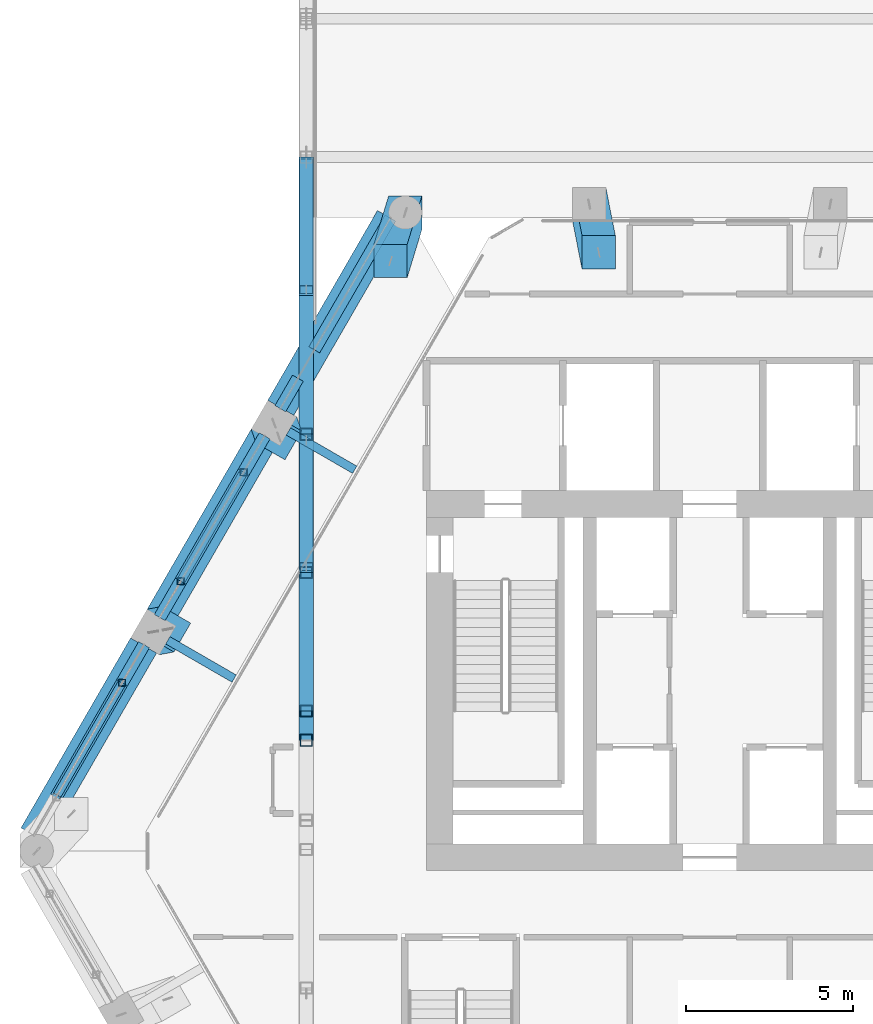
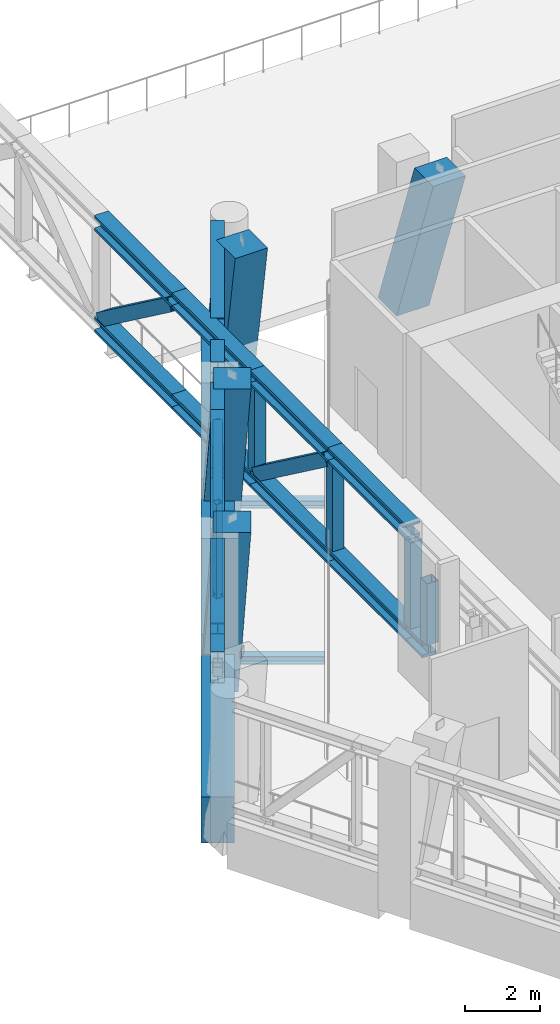
# One storey, part 6 of 22: 34 members, 5 beams.
"""IFC4 building model written with IfcOpenShell, lengths in metres."""

from ifc_helpers import new_model, si_unit, direction, frame, origin, origin_2d, place, context, subcontext, project, spatial, rectangle, hollow_rectangle, i_section, extrude, material, material_profile, profile_set, type_object, element, save


model = new_model("IFC4")

# Units and contexts
model_context = context("Model", 3, precision=1e-05, world=origin(), true_north=direction((0.0, 1.0)))
body_context = subcontext(model_context, "Body", "Model", "MODEL_VIEW")
ifc_project = project(units=[si_unit("LENGTHUNIT", "METRE"), si_unit("AREAUNIT", "SQUARE_METRE"), si_unit("VOLUMEUNIT", "CUBIC_METRE"), si_unit("PLANEANGLEUNIT", "RADIAN"), si_unit("MASSUNIT", "GRAM", prefix="KILO")], contexts=[model_context])

# Site, building, storey
site_placement = place(None, origin())
site = spatial("IfcSite", under=ifc_project, at=site_placement, CompositionType="ELEMENT")
building_placement = place(site_placement, origin())
building = spatial("IfcBuilding", under=site, at=building_placement, Name="Ostrander Bayou Hotel Tower", CompositionType="ELEMENT")
storey_placement = place(building_placement, frame((0.0, 0.0, 209.5)))
storey = spatial("IfcBuildingStorey", under=building, at=storey_placement, Name="L52", CompositionType="ELEMENT", Elevation=209.5)

# Members
ifc_material_1 = material(Name="Steel ASTM A992", Category="steel")
ifc_material_profile_1 = material_profile(ifc_material_1, i_section(OverallWidth=0.37255859375, OverallDepth=0.36767578125, WebThickness=0.014892578125, FlangeThickness=0.02392578125, at=origin_2d()))
ifc_profile_set_1 = profile_set([ifc_material_profile_1], Name="Steel ASTM A992")
member_type_1 = type_object("IfcMemberType", Name="BT5 belt truss chord W14x120", PredefinedType="CHORD", material=ifc_profile_set_1)
member_1_placement = place(storey_placement, frame((-9.58056640625, 17.88037109375, 0.183837890625), z_axis=(-0.499997018584, -0.866027125099, 0.0), x_axis=(0.866027125099, -0.499997018584, 0.0)))
element("IfcMember", 1, at=member_1_placement, inside=storey, type_object=member_type_1, Name="BT5 L52 NW-1B1", PredefinedType="CHORD", context=body_context, shape_type="SweptSolid", body=[
    extrude(i_section(OverallWidth=0.37255859375, OverallDepth=0.36767578125, WebThickness=0.014892578125, FlangeThickness=0.02392578125, at=origin_2d()), origin(), (0.0, 0.0, 1.0), 4.56689453125),
])
member_2_placement = place(storey_placement, frame((-12.35595703125, 13.072998046875, 0.183837890625), z_axis=(-0.50006949096, -0.865985279442, 0.0), x_axis=(0.865985279442, -0.50006949096, 0.0)))
element("IfcMember", 2, at=member_2_placement, inside=storey, type_object=member_type_1, Name="BT5 L52 NW-1B2", PredefinedType="CHORD", context=body_context, shape_type="SweptSolid", body=[
    extrude(i_section(OverallWidth=0.37255859375, OverallDepth=0.36767578125, WebThickness=0.014892578125, FlangeThickness=0.02392578125, at=origin_2d()), origin(), (0.0, 0.0, 1.0), 1.055419921875),
])
member_3_placement = place(storey_placement, frame((-9.58056640625, 17.88037109375, 3.6162109375), z_axis=(-0.499997018584, -0.866027125099, 0.0), x_axis=(0.866027125099, -0.499997018584, 0.0)))
element("IfcMember", 3, at=member_3_placement, inside=storey, type_object=member_type_1, Name="BT5 L52 NW-1T1", PredefinedType="CHORD", context=body_context, shape_type="SweptSolid", body=[
    extrude(i_section(OverallWidth=0.37255859375, OverallDepth=0.36767578125, WebThickness=0.014892578125, FlangeThickness=0.02392578125, at=origin_2d()), origin(), (0.0, 0.0, 1.0), 4.56689453125),
])
member_4_placement = place(storey_placement, frame((-12.35595703125, 13.072998046875, 3.6162109375), z_axis=(-0.50006949096, -0.865985279442, 0.0), x_axis=(0.865985279442, -0.50006949096, 0.0)))
element("IfcMember", 4, at=member_4_placement, inside=storey, type_object=member_type_1, Name="BT5 L52 NW-1T2", PredefinedType="CHORD", context=body_context, shape_type="SweptSolid", body=[
    extrude(i_section(OverallWidth=0.37255859375, OverallDepth=0.36767578125, WebThickness=0.014892578125, FlangeThickness=0.02392578125, at=origin_2d()), origin(), (0.0, 0.0, 1.0), 1.055419921875),
])
member_5_placement = place(storey_placement, frame((-13.353759765625, 11.344970703125, 0.183837890625), z_axis=(-0.500017548753, -0.86601527177, 0.0), x_axis=(0.86601527177, -0.500017548753, 0.0)))
element("IfcMember", 5, at=member_5_placement, inside=storey, type_object=member_type_1, Name="BT5 L52 NW-2B1", PredefinedType="CHORD", context=body_context, shape_type="SweptSolid", body=[
    extrude(i_section(OverallWidth=0.37255859375, OverallDepth=0.36767578125, WebThickness=0.014892578125, FlangeThickness=0.02392578125, at=origin_2d()), origin(), (0.0, 0.0, 1.0), 5.036865234375),
])
for number, where, z_axis, x_axis, name in (
    (6, (-15.872314453125, 6.98291015625, 0.183837890625), (-0.499996560828, -0.866027389382, 0.0), (0.866027389382, -0.499996560828, 0.0), "BT5 L52 NW-2B2"),
    (7, (-13.353759765625, 11.344970703125, 3.6162109375), (-0.499996560828, -0.866027389382, 0.0), (0.866027389382, -0.499996560828, 0.0), "BT5 L52 NW-2T1"),
):
    element("IfcMember", number, at=place(storey_placement, frame(where, z_axis=z_axis, x_axis=x_axis)), inside=storey, type_object=member_type_1, Name=name, PredefinedType="CHORD", context=body_context, shape_type="SweptSolid", body=[
        extrude(i_section(OverallWidth=0.37255859375, OverallDepth=0.36767578125, WebThickness=0.014892578125, FlangeThickness=0.02392578125, at=origin_2d()), origin(), (0.0, 0.0, 1.0), 1.25927734375),
    ])
member_6_placement = place(storey_placement, frame((-13.9833984375, 10.25439453125, 3.6162109375), z_axis=(-0.500017548753, -0.86601527177, 0.0), x_axis=(0.86601527177, -0.500017548753, 0.0)))
element("IfcMember", 8, at=member_6_placement, inside=storey, type_object=member_type_1, Name="BT5 L52 NW-2T2", PredefinedType="CHORD", context=body_context, shape_type="SweptSolid", body=[
    extrude(i_section(OverallWidth=0.37255859375, OverallDepth=0.36767578125, WebThickness=0.014892578125, FlangeThickness=0.02392578125, at=origin_2d()), origin(), (0.0, 0.0, 1.0), 5.036865234375),
])
member_7_placement = place(storey_placement, frame((-16.971923828125, 5.078125, 0.183837890625), z_axis=(-0.500074377092, -0.865982457891, 0.0), x_axis=(0.865982457891, -0.500074377092, 0.0)))
element("IfcMember", 9, at=member_7_placement, inside=storey, type_object=member_type_1, Name="BT5 L52 NW-3B1", PredefinedType="CHORD", context=body_context, shape_type="SweptSolid", body=[
    extrude(i_section(OverallWidth=0.37255859375, OverallDepth=0.36767578125, WebThickness=0.014892578125, FlangeThickness=0.02392578125, at=origin_2d()), origin(), (0.0, 0.0, 1.0), 1.321044921875),
])
member_8_placement = place(storey_placement, frame((-16.971923828125, 5.078125, 3.6162109375), z_axis=(-0.500014360914, -0.866017112348, 0.0), x_axis=(0.866017112348, -0.500014360914, 0.0)))
element("IfcMember", 10, at=member_8_placement, inside=storey, type_object=member_type_1, Name="BT5 L52 NW-3T1", PredefinedType="CHORD", context=body_context, shape_type="SweptSolid", body=[
    extrude(i_section(OverallWidth=0.37255859375, OverallDepth=0.36767578125, WebThickness=0.014892578125, FlangeThickness=0.02392578125, at=origin_2d()), origin(), (0.0, 0.0, 1.0), 5.284912109375),
])
ifc_material_2 = material(Name="Steel ASTM A500 Gr C", Category="steel")
ifc_material_profile_2 = material_profile(ifc_material_2, hollow_rectangle(XDim=0.25390625, YDim=0.25390625, WallThickness=0.01171875, at=origin_2d()))
ifc_profile_set_2 = profile_set([ifc_material_profile_2], Name="Steel ASTM A500 Gr C")
member_type_2 = type_object("IfcMemberType", Name="BT6 belt truss diagonal HSS10x10x1/2", PredefinedType="BRACE", material=ifc_profile_set_2)
member_9_placement = place(storey_placement, frame((-15.872314453125, 6.98291015625, 0.367919921875), z_axis=(0.388333955618, 0.672570118299, 0.629957280207), x_axis=(-0.866011232227, 0.500024545055, 0.0)))
element("IfcMember", 11, at=member_9_placement, inside=storey, type_object=member_type_2, Name="BT6 L52 NW-2D", PredefinedType="BRACE", context=body_context, shape_type="SweptSolid", body=[
    extrude(hollow_rectangle(XDim=0.25390625, YDim=0.25390625, WallThickness=0.01171875, at=origin_2d()), origin(), (0.0, 0.0, 1.0), 4.8642578125),
])
member_10_placement = place(storey_placement, frame((-17.632568359375, 3.93408203125, 0.367919921875), z_axis=(-0.395580757831, -0.685176279362, 0.611595724506), x_axis=(0.866028661061, -0.499994358189, 0.0)))
element("IfcMember", 12, at=member_10_placement, inside=storey, type_object=member_type_2, Name="BT6 L52 NW-3D", PredefinedType="BRACE", context=body_context, shape_type="SweptSolid", body=[
    extrude(hollow_rectangle(XDim=0.25390625, YDim=0.25390625, WallThickness=0.01171875, at=origin_2d()), origin(), (0.0, 0.0, 1.0), 5.01025390625),
])
ifc_material_3 = material(Name="Steel ASTM A500 Gr C", Category="steel")
ifc_material_profile_3 = material_profile(ifc_material_3, hollow_rectangle(XDim=0.203125, YDim=0.203125, WallThickness=0.0087890625, at=origin_2d()))
ifc_profile_set_3 = profile_set([ifc_material_profile_3], Name="Steel ASTM A500 Gr C")
member_type_3 = type_object("IfcMemberType", Name="BT9 belt truss vertical HSS8x8x3/8", PredefinedType="POST", material=ifc_profile_set_3)
for number, where, z_axis, x_axis, name in (
    (13, (-13.9833984375, 10.25439453125, 0.367919921875), (0.0, 0.0, 1.0), (1.0, 0.0, 0.0), "BT9 L52 NW-2V1"),
    (14, (-15.872314453125, 6.98291015625, 0.367919921875), (0.0, 0.0, 1.0), (1.0, 0.0, 0.0), "BT9 L52 NW-2V2"),
    (15, (-17.632568359375, 3.93408203125, 0.367919921875), (0.0, 0.0, 1.0), (1.0, 0.0, 0.0), "BT9 L52 NW-3V1"),
):
    element("IfcMember", number, at=place(storey_placement, frame(where, z_axis=z_axis, x_axis=x_axis)), inside=storey, type_object=member_type_3, Name=name, PredefinedType="POST", context=body_context, shape_type="SweptSolid", body=[
        extrude(hollow_rectangle(XDim=0.203125, YDim=0.203125, WallThickness=0.0087890625, at=origin_2d()), origin(), (0.0, 0.0, 1.0), 3.064208984375),
    ])
ifc_material_4 = material(Name="Concrete f'c 60 MPa", Category="concrete")
ifc_material_profile_4 = material_profile(ifc_material_4, rectangle(XDim=1.0, YDim=1.0, at=origin_2d()))
ifc_profile_set_4 = profile_set([ifc_material_profile_4], Name="Concrete f'c 60 MPa")
member_type_4 = type_object("IfcMemberType", Name="KC3 kinked column 1000 x 1000 mm f'c 60 MPa", PredefinedType="STRUT", material=ifc_profile_set_4)
member_11_placement = place(storey_placement, frame((-9.133544921875, 18.04541015625, -1.199951171875), z_axis=(0.0, 0.0, 1.0), x_axis=(1.0, 0.0, 0.0)))
element("IfcMember", 16, at=member_11_placement, inside=storey, type_object=member_type_4, Name="KC3 L52 K0", PredefinedType="STRUT", context=body_context, shape_type="SweptSolid", body=[
    extrude(rectangle(XDim=1.0, YDim=1.0, at=origin_2d()), origin(), (-0.084917990459, -0.278715978587, 0.956611905726), 5.226806640625),
])
member_12_placement = place(storey_placement, frame((-3.6181640625, 18.300048828125, -1.199951171875), z_axis=(0.0, 0.0, 1.0), x_axis=(1.0, 0.0, 0.0)))
element("IfcMember", 17, at=member_12_placement, inside=storey, type_object=member_type_4, Name="KC3 L52 N2", PredefinedType="STRUT", context=body_context, shape_type="SweptSolid", body=[
    extrude(rectangle(XDim=1.0, YDim=1.0, at=origin_2d()), origin(), (0.05539287953, -0.278088175427, 0.958957035317), 5.214111328125),
])
member_13_placement = place(storey_placement, frame((-13.075439453125, 11.726806640625, -1.199951171875), z_axis=(0.0, 0.0, 1.0), x_axis=(0.5, 0.866025403784, 0.0)))
element("IfcMember", 18, at=member_13_placement, inside=storey, type_object=member_type_4, Name="KC3 L52 NW1", PredefinedType="STRUT", context=body_context, shape_type="SweptSolid", body=[
    extrude(rectangle(XDim=1.0, YDim=1.0, at=origin_2d()), origin(), (-0.057482427819, -0.067164965349, 0.996084653994), 5.019775390625),
])
member_14_placement = place(storey_placement, frame((-16.693603515625, 5.460205078125, -1.199951171875), z_axis=(0.0, 0.0, 1.0), x_axis=(0.5, 0.866025403784, 0.0)))
element("IfcMember", 19, at=member_14_placement, inside=storey, type_object=member_type_4, Name="KC3 L52 NW2", PredefinedType="STRUT", context=body_context, shape_type="SweptSolid", body=[
    extrude(rectangle(XDim=1.0, YDim=1.0, at=origin_2d()), origin(), (0.057549468716, -0.067189303641, 0.996079141498), 5.019775390625),
])

# Beams
ifc_material_5 = material(Name="Steel ASTM A992", Category="steel")
ifc_material_profile_5 = material_profile(ifc_material_5, i_section(OverallWidth=0.25390625, OverallDepth=0.25341796875, WebThickness=0.008544921875, FlangeThickness=0.01416015625, at=origin_2d()))
ifc_profile_set_5 = profile_set([ifc_material_profile_5], Name="Steel ASTM A992")
beam_type_1 = type_object("IfcBeamType", Name="LB2 loggia bracket W10x49", PredefinedType="BEAM", material=ifc_profile_set_5)
beam_1_placement = place(storey_placement, frame((-12.642578125, 11.476806640625, -0.4267578125), z_axis=(0.866053019151, -0.499952165731, 0.0), x_axis=(0.499952165731, 0.866053019151, 0.0)))
element("IfcBeam", 20, at=beam_1_placement, inside=storey, type_object=beam_type_1, Name="LB2 L52 NW1", PredefinedType="BEAM", context=body_context, shape_type="SweptSolid", body=[
    extrude(i_section(OverallWidth=0.25390625, OverallDepth=0.25341796875, WebThickness=0.008544921875, FlangeThickness=0.01416015625, at=origin_2d()), origin(), (0.0, 0.0, 1.0), 2.300048828125),
])
beam_2_placement = place(storey_placement, frame((-16.260498046875, 5.210205078125, -0.4267578125), z_axis=(0.86602648383, -0.499998129301, 0.0), x_axis=(0.499998129301, 0.86602648383, 0.0)))
element("IfcBeam", 21, at=beam_2_placement, inside=storey, type_object=beam_type_1, Name="LB2 L52 NW2", PredefinedType="BEAM", context=body_context, shape_type="SweptSolid", body=[
    extrude(i_section(OverallWidth=0.25390625, OverallDepth=0.25341796875, WebThickness=0.008544921875, FlangeThickness=0.01416015625, at=origin_2d()), origin(), (0.0, 0.0, 1.0), 2.2998046875),
])
ifc_material_6 = material(Name="Concrete f'c 60 MPa", Category="concrete")
ifc_material_profile_6 = material_profile(ifc_material_6, rectangle(XDim=0.89990234375, YDim=1.5, at=origin_2d()))
ifc_profile_set_6 = profile_set([ifc_material_profile_6], Name="Concrete f'c 60 MPa")
beam_type_2 = type_object("IfcBeamType", Name="SPB3 belt spandrel beam 900 x 1500 mm f'c 60 MPa", PredefinedType="SPANDREL", material=ifc_profile_set_6)
beam_3_placement = place(storey_placement, frame((-9.58056640625, 17.88037109375, -0.75), z_axis=(-0.499994358189, -0.866028661061, 0.0), x_axis=(0.866028661061, -0.499994358189, 0.0)))
element("IfcBeam", 22, at=beam_3_placement, inside=storey, type_object=beam_type_2, Name="SP3 L52 NW-1", PredefinedType="SPANDREL", context=body_context, shape_type="SweptSolid", body=[
    extrude(rectangle(XDim=0.89990234375, YDim=1.5, at=origin_2d()), origin(), (0.0, 0.0, 1.0), 6.6064453125),
])
beam_4_placement = place(storey_placement, frame((-13.353759765625, 11.344970703125, -0.75), z_axis=(-0.500013351051, -0.866017695414, 0.0), x_axis=(0.866017695414, -0.500013351051, 0.0)))
element("IfcBeam", 23, at=beam_4_placement, inside=storey, type_object=beam_type_2, Name="SP3 L52 NW-2", PredefinedType="SPANDREL", context=body_context, shape_type="SweptSolid", body=[
    extrude(rectangle(XDim=0.89990234375, YDim=1.5, at=origin_2d()), origin(), (0.0, 0.0, 1.0), 6.296142578125),
])
beam_5_placement = place(storey_placement, frame((-16.971923828125, 5.078125, -0.75), z_axis=(-0.500010360262, -0.866019422202, 0.0), x_axis=(0.866019422202, -0.500010360262, 0.0)))
element("IfcBeam", 24, at=beam_5_placement, inside=storey, type_object=beam_type_2, Name="SP3 L52 NW-3", PredefinedType="SPANDREL", context=body_context, shape_type="SweptSolid", body=[
    extrude(rectangle(XDim=0.89990234375, YDim=1.5, at=origin_2d()), origin(), (0.0, 0.0, 1.0), 6.606201171875),
])

# Members
ifc_material_7 = material(Name="Steel ASTM A992", Category="steel")
ifc_material_profile_7 = material_profile(ifc_material_7, i_section(OverallWidth=0.43212890625, OverallDepth=0.497802734375, WebThickness=0.0556640625, FlangeThickness=0.0888671875, at=origin_2d()))
ifc_profile_set_7 = profile_set([ifc_material_profile_7], Name="Steel ASTM A992")
member_type_5 = type_object("IfcMemberType", Name="TT1 through-truss chord W14x500", PredefinedType="CHORD", material=ifc_profile_set_7)
for number, where, z_axis, x_axis, name in (
    (25, (-12.110107421875, 19.706787109375, 0.248779296875), (0.0, -1.0, 0.0), (1.0, 0.0, 0.0), "TT1 SB4A B3"),
    (26, (-12.110107421875, 19.706787109375, 3.551025390625), (0.0, -1.0, 0.0), (1.0, 0.0, 0.0), "TT1 SB4A T3"),
    (27, (-12.110107421875, 15.552001953125, 0.248779296875), (0.0, -1.0, 0.0), (1.0, 0.0, 0.0), "TT1 SB4A B4"),
    (28, (-12.110107421875, 15.552001953125, 3.551025390625), (0.0, -1.0, 0.0), (1.0, 0.0, 0.0), "TT1 SB4A T4"),
    (29, (-12.110107421875, 11.397216796875, 0.248779296875), (0.0, -1.0, 0.0), (1.0, 0.0, 0.0), "TT1 SB4A B5"),
    (30, (-12.110107421875, 11.397216796875, 3.551025390625), (0.0, -1.0, 0.0), (1.0, 0.0, 0.0), "TT1 SB4A T5"),
):
    element("IfcMember", number, at=place(storey_placement, frame(where, z_axis=z_axis, x_axis=x_axis)), inside=storey, type_object=member_type_5, Name=name, PredefinedType="CHORD", context=body_context, shape_type="SweptSolid", body=[
        extrude(i_section(OverallWidth=0.43212890625, OverallDepth=0.497802734375, WebThickness=0.0556640625, FlangeThickness=0.0888671875, at=origin_2d()), origin(), (0.0, 0.0, 1.0), 4.15478515625),
    ])
for number, where, z_axis, x_axis, name in (
    (31, (-12.110107421875, 7.242431640625, 0.248779296875), (0.0, -1.0, 0.0), (1.0, 0.0, 0.0), "TT1 SB4A B6"),
    (32, (-12.110107421875, 7.242431640625, 3.551025390625), (0.0, -1.0, 0.0), (1.0, 0.0, 0.0), "TT1 SB4A T6"),
):
    element("IfcMember", number, at=place(storey_placement, frame(where, z_axis=z_axis, x_axis=x_axis)), inside=storey, type_object=member_type_5, Name=name, PredefinedType="CHORD", context=body_context, shape_type="SweptSolid", body=[
        extrude(i_section(OverallWidth=0.43212890625, OverallDepth=0.497802734375, WebThickness=0.0556640625, FlangeThickness=0.0888671875, at=origin_2d()), origin(), (0.0, 0.0, 1.0), 4.154541015625),
    ])
member_15_placement = place(storey_placement, frame((-12.110107421875, 3.087890625, 0.248779296875), z_axis=(0.0, -1.0, 0.0), x_axis=(1.0, 0.0, 0.0)))
element("IfcMember", 33, at=member_15_placement, inside=storey, type_object=member_type_5, Name="TT1 SB4A B7", PredefinedType="CHORD", context=body_context, shape_type="SweptSolid", body=[
    extrude(i_section(OverallWidth=0.43212890625, OverallDepth=0.497802734375, WebThickness=0.0556640625, FlangeThickness=0.0888671875, at=origin_2d()), origin(), (0.0, 0.0, 1.0), 0.87744140625),
])
ifc_material_8 = material(Name="Steel ASTM A500 Gr C", Category="steel")
ifc_material_profile_8 = material_profile(ifc_material_8, hollow_rectangle(XDim=0.355712890625, YDim=0.355712890625, WallThickness=0.0146484375, at=origin_2d()))
ifc_profile_set_8 = profile_set([ifc_material_profile_8], Name="Steel ASTM A500 Gr C")
member_type_6 = type_object("IfcMemberType", Name="TT2 through-truss post HSS14x14x5/8", PredefinedType="POST", material=ifc_profile_set_8)
for number, where, z_axis, x_axis, name in (
    (34, (-12.110107421875, 11.397216796875, 0.497802734375), (0.0, 0.0, 1.0), (1.0, 0.0, 0.0), "TT2 SB4A P5"),
    (35, (-12.110107421875, 7.242431640625, 0.497802734375), (0.0, 0.0, 1.0), (1.0, 0.0, 0.0), "TT2 SB4A P6"),
    (36, (-12.110107421875, 3.087890625, 0.497802734375), (0.0, 0.0, 1.0), (1.0, 0.0, 0.0), "TT2 SB4A P7"),
):
    element("IfcMember", number, at=place(storey_placement, frame(where, z_axis=z_axis, x_axis=x_axis)), inside=storey, type_object=member_type_6, Name=name, PredefinedType="POST", context=body_context, shape_type="SweptSolid", body=[
        extrude(hollow_rectangle(XDim=0.355712890625, YDim=0.355712890625, WallThickness=0.0146484375, at=origin_2d()), origin(), (0.0, 0.0, 1.0), 2.804443359375),
    ])
member_16_placement = place(storey_placement, frame((-12.110107421875, 2.21044921875, 0.497802734375), z_axis=(0.0, 0.0, 1.0), x_axis=(1.0, 0.0, 0.0)))
element("IfcMember", 37, at=member_16_placement, inside=storey, type_object=member_type_6, Name="TT2 SB4A KN7a", PredefinedType="POST", context=body_context, shape_type="SweptSolid", body=[
    extrude(hollow_rectangle(XDim=0.355712890625, YDim=0.355712890625, WallThickness=0.0146484375, at=origin_2d()), origin(), (0.0, 0.0, 1.0), 2.002197265625),
])
ifc_material_9 = material(Name="Steel ASTM A572 Gr 50", Category="steel")
ifc_material_profile_9 = material_profile(ifc_material_9, hollow_rectangle(XDim=0.406494140625, YDim=0.406494140625, WallThickness=0.017822265625, at=origin_2d()))
ifc_profile_set_9 = profile_set([ifc_material_profile_9], Name="Steel ASTM A572 Gr 50")
member_type_7 = type_object("IfcMemberType", Name="TT3 through-truss diagonal box 16 x 16 x 3/4", PredefinedType="BRACE", material=ifc_profile_set_9)
for number, where, z_axis, x_axis, name in (
    (38, (-12.110107421875, 19.52880859375, 0.497802734375), (0.0, -0.804537023237, 0.593902498935), (1.0, 0.0, 0.0), "TT3 SB4A D3"),
    (39, (-12.110107421875, 11.219482421875, 0.497802734375), (0.0, -0.804537023237, 0.593902498935), (1.0, 0.0, 0.0), "TT3 SB4A D5"),
):
    element("IfcMember", number, at=place(storey_placement, frame(where, z_axis=z_axis, x_axis=x_axis)), inside=storey, type_object=member_type_7, Name=name, PredefinedType="BRACE", context=body_context, shape_type="SweptSolid", body=[
        extrude(hollow_rectangle(XDim=0.406494140625, YDim=0.406494140625, WallThickness=0.017822265625, at=origin_2d()), origin(), (0.0, 0.0, 1.0), 4.72216796875),
    ])

save(model, "model.ifc")
